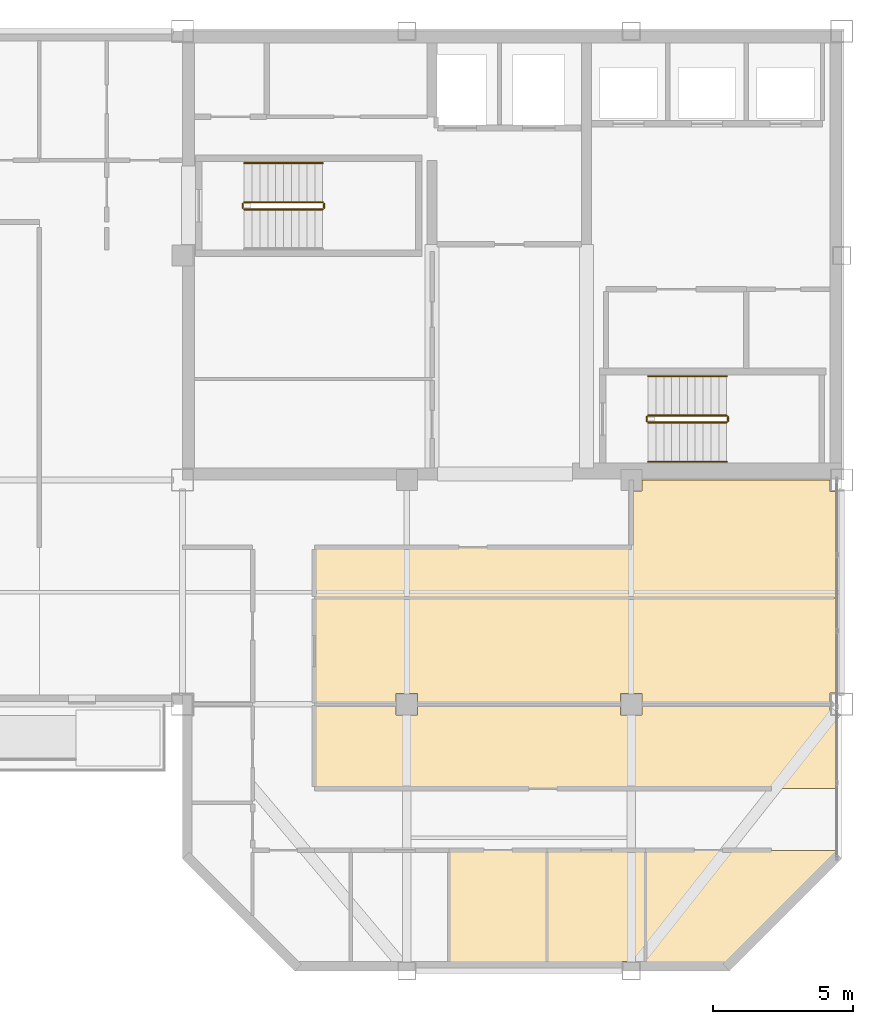
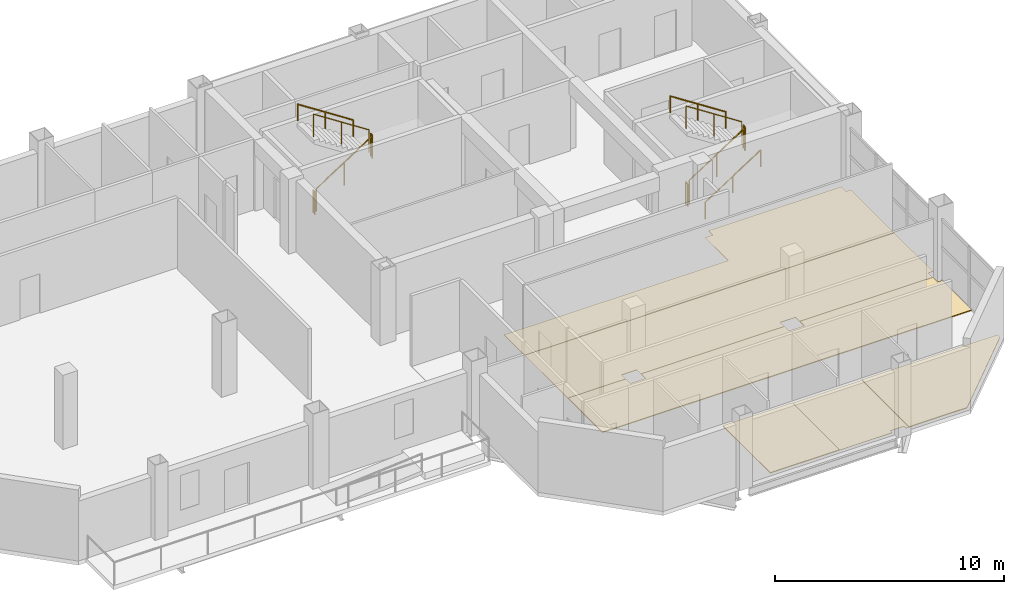
# One storey, part 12 of 13: 11 railings, 6 coverings.
"""IFC4 building model written with IfcOpenShell, lengths in metres."""

from ifc_helpers import new_model, si_unit, direction, frame, origin, origin_2d, place, context, subcontext, project, spatial, polyline, circle, outline, extrude, material, layer, layer_set, type_object, element, save


model = new_model("IFC4")

# Units and contexts
model_context = context("Model", 3, precision=1e-05, world=origin(), true_north=direction((0.0, 1.0)))
body_context = subcontext(model_context, "Body", "Model", "MODEL_VIEW")
ifc_project = project(units=[si_unit("LENGTHUNIT", "METRE"), si_unit("AREAUNIT", "SQUARE_METRE"), si_unit("VOLUMEUNIT", "CUBIC_METRE"), si_unit("PLANEANGLEUNIT", "RADIAN"), si_unit("MASSUNIT", "GRAM", prefix="KILO")], contexts=[model_context])

# Site, building, storey
site_placement = place(None, origin())
site = spatial("IfcSite", under=ifc_project, at=site_placement, CompositionType="ELEMENT")
building_placement = place(site_placement, origin())
building = spatial("IfcBuilding", under=site, at=building_placement, Name="Qianrong Seaharbour Tower", CompositionType="ELEMENT")
storey_placement = place(building_placement, frame((0.0, 0.0, 295.199951171875)))
storey = spatial("IfcBuildingStorey", under=building, at=storey_placement, Name="L71", CompositionType="ELEMENT", Elevation=295.199951171875)

# Coverings
ifc_material_1 = material(Name="Acoustic modular carpet tile flooring")
ifc_layer_1 = layer(ifc_material_1, 0.02001953125)
ifc_layer_set_1 = layer_set([ifc_layer_1], Name="Acoustic modular carpet tile flooring")
covering_type_1 = type_object("IfcCoveringType", Name="COV-FLOOR-CARPET-20", PredefinedType="FLOORING", material=ifc_layer_set_1)
covering_1_placement = place(storey_placement, origin())
element("IfcCovering", 1, at=covering_1_placement, inside=storey, type_object=covering_type_1, Name="L71 Boardroom 2 Finish Flooring", PredefinedType="FLOORING", context=body_context, shape_type="SweptSolid", body=[
    extrude(outline(polyline([(63.8349609375, 31.800048828125), (63.8349609375, 28.409912109375), (63.590087890625, 28.409912109375), (63.590087890625, 28.0), (56.885009765625, 28.0), (56.885009765625, 28.385009765625), (56.114990234375, 28.385009765625), (56.114990234375, 28.0), (48.885009765625, 28.0), (48.885009765625, 28.385009765625), (48.114990234375, 28.385009765625), (48.114990234375, 28.0), (45.199951171875, 28.0), (45.199951171875, 31.800048828125), (63.8349609375, 31.800048828125)])), origin(), (0.0, 0.0, 1.0), 0.02001953125),
])
covering_2_placement = place(storey_placement, origin())
element("IfcCovering", 2, at=covering_2_placement, inside=storey, type_object=covering_type_1, Name="L71 Focus Room 3 Finish Flooring", PredefinedType="FLOORING", context=body_context, shape_type="SweptSolid", body=[
    extrude(outline(polyline([(56.5, 33.60009765625), (56.5, 35.614990234375), (56.885009765625, 35.614990234375), (56.885009765625, 36.0), (63.590087890625, 36.0), (63.590087890625, 35.590087890625), (63.8349609375, 35.590087890625), (63.8349609375, 31.800048828125), (45.199951171875, 31.800048828125), (45.199951171875, 33.60009765625), (56.5, 33.60009765625)])), origin(), (0.0, 0.0, 1.0), 0.02001953125),
])
covering_3_placement = place(storey_placement, origin())
element("IfcCovering", 3, at=covering_3_placement, inside=storey, type_object=covering_type_1, Name="L71 Meeting Room 4 Finish Flooring", PredefinedType="FLOORING", context=body_context, shape_type="SweptSolid", body=[
    extrude(outline(polyline([(57.0, 18.6650390625), (56.8349609375, 18.6650390625), (56.8349609375, 18.8349609375), (56.1650390625, 18.8349609375), (56.1650390625, 18.6650390625), (53.5, 18.6650390625), (53.5, 22.800048828125), (57.0, 22.800048828125), (57.0, 18.6650390625)])), origin(), (0.0, 0.0, 1.0), 0.02001953125),
])
ifc_material_2 = material(Name="Calcium-sulphate raised access floor tile")
ifc_layer_2 = layer(ifc_material_2, 0.044921875)
ifc_layer_set_2 = layer_set([ifc_layer_2], Name="Calcium-sulphate raised access floor tile")
covering_type_2 = type_object("IfcCoveringType", Name="COV-FLOOR-RAISED-45", PredefinedType="FLOORING", material=ifc_layer_set_2)
covering_4_placement = place(storey_placement, origin())
element("IfcCovering", 4, at=covering_4_placement, inside=storey, type_object=covering_type_2, Name="L71 Executive Office 1 Finish Flooring", PredefinedType="FLOORING", context=body_context, shape_type="SweptSolid", body=[
    extrude(outline(polyline([(48.114990234375, 28.0), (48.114990234375, 27.614990234375), (48.885009765625, 27.614990234375), (48.885009765625, 28.0), (56.114990234375, 28.0), (56.114990234375, 27.614990234375), (56.885009765625, 27.614990234375), (56.885009765625, 28.0), (63.590087890625, 28.0), (63.590087890625, 27.590087890625), (63.8349609375, 27.590087890625), (63.8349609375, 25.0), (45.199951171875, 25.0), (45.199951171875, 28.0), (48.114990234375, 28.0)])), origin(), (0.0, 0.0, 1.0), 0.045166015625),
])
covering_5_placement = place(storey_placement, origin())
element("IfcCovering", 5, at=covering_5_placement, inside=storey, type_object=covering_type_2, Name="L71 Executive Office 3 Finish Flooring", PredefinedType="FLOORING", context=body_context, shape_type="SweptSolid", body=[
    extrude(outline(polyline([(53.5, 18.6650390625), (50.0, 18.6650390625), (50.0, 22.800048828125), (53.5, 22.800048828125), (53.5, 18.6650390625)])), origin(), (0.0, 0.0, 1.0), 0.045166015625),
])
covering_6_placement = place(storey_placement, origin())
element("IfcCovering", 6, at=covering_6_placement, inside=storey, type_object=covering_type_2, Name="L71 Executive Office 5 Finish Flooring", PredefinedType="FLOORING", context=body_context, shape_type="SweptSolid", body=[
    extrude(outline(polyline([(63.8349609375, 22.568359375), (59.931640625, 18.6650390625), (57.0, 18.6650390625), (57.0, 22.800048828125), (63.8349609375, 22.800048828125), (63.8349609375, 22.568359375)])), origin(), (0.0, 0.0, 1.0), 0.045166015625),
])

# Railings
ifc_material_3 = material(Name="Galvanized painted steel SN400B stair guard", Category="steel")
railing_type_1 = type_object("IfcRailingType", Name="RAIL-STAIR-GUARD-1220", PredefinedType="GUARDRAIL", material=ifc_material_3)
railing_1_placement = place(storey_placement, frame((42.699951171875, 45.64990234375, 0.181884765625)))
element("IfcRailing", 7, at=railing_1_placement, inside=storey, type_object=railing_type_1, Name="L71 ST-1 stair guard 1", PredefinedType="GUARDRAIL", context=body_context, shape_type="SweptSolid", body=[
    extrude(circle(Radius=0.02392578125, at=origin_2d()), frame((0.0, 0.0, 1.19580078125), z_axis=(0.838705829183, 0.0, 0.544584733623), x_axis=(0.0, 1.0, 0.0)), (0.0, 0.0, 1.0), 3.338623046875),
    extrude(circle(Radius=0.02099609375, at=origin_2d()), origin(), (0.0, 0.0, 1.0), 1.171875),
    extrude(circle(Radius=0.02099609375, at=origin_2d()), frame((1.39990234375, 0.0, 0.9091796875)), (0.0, 0.0, 1.0), 1.171875),
    extrude(circle(Radius=0.02099609375, at=origin_2d()), frame((2.800048828125, 0.0, 1.818115234375)), (0.0, 0.0, 1.0), 1.171875),
])
railing_2_placement = place(storey_placement, frame((45.550048828125, 45.699951171875, 2.0)))
element("IfcRailing", 8, at=railing_2_placement, inside=storey, type_object=railing_type_1, Name="L71 ST-1 stair guard 2", PredefinedType="GUARDRAIL", context=body_context, shape_type="SweptSolid", body=[
    extrude(circle(Radius=0.02392578125, at=origin_2d()), frame((0.0, 0.0, 1.19580078125), z_axis=(0.0, 1.0, 0.0), x_axis=(-1.0, 0.0, 0.0)), (0.0, 0.0, 1.0), 0.150146484375),
    extrude(circle(Radius=0.02099609375, at=origin_2d()), origin(), (0.0, 0.0, 1.0), 1.171875),
    extrude(circle(Radius=0.02099609375, at=origin_2d()), frame((0.0, 0.150146484375, 0.0)), (0.0, 0.0, 1.0), 1.171875),
])
railing_3_placement = place(storey_placement, frame((45.5, 45.89990234375, 2.181884765625)))
element("IfcRailing", 9, at=railing_3_placement, inside=storey, type_object=railing_type_1, Name="L71 ST-1 stair guard 3", PredefinedType="GUARDRAIL", context=body_context, shape_type="SweptSolid", body=[
    extrude(circle(Radius=0.02392578125, at=origin_2d()), frame((0.0, 0.0, 1.19580078125), z_axis=(-0.838705829183, 0.0, 0.544584733623), x_axis=(0.0, -1.0, 0.0)), (0.0, 0.0, 1.0), 3.338623046875),
    extrude(circle(Radius=0.02099609375, at=origin_2d()), origin(), (0.0, 0.0, 1.0), 1.171875),
    extrude(circle(Radius=0.02099609375, at=origin_2d()), frame((-1.39990234375, 0.0, 0.9091796875)), (0.0, 0.0, 1.0), 1.171875),
    extrude(circle(Radius=0.02099609375, at=origin_2d()), frame((-2.800048828125, 0.0, 1.818115234375)), (0.0, 0.0, 1.0), 1.171875),
])
railing_4_placement = place(storey_placement, frame((42.64990234375, 45.699951171875, 0.0)))
element("IfcRailing", 10, at=railing_4_placement, inside=storey, type_object=railing_type_1, Name="L71 ST-1 stair guard 4", PredefinedType="GUARDRAIL", context=body_context, shape_type="SweptSolid", body=[
    extrude(circle(Radius=0.02392578125, at=origin_2d()), frame((0.0, 0.0, 1.19580078125), z_axis=(0.0, 1.0, 0.0), x_axis=(-1.0, 0.0, 0.0)), (0.0, 0.0, 1.0), 0.150146484375),
    extrude(circle(Radius=0.02099609375, at=origin_2d()), origin(), (0.0, 0.0, 1.0), 1.171875),
    extrude(circle(Radius=0.02099609375, at=origin_2d()), frame((0.0, 0.150146484375, 0.0)), (0.0, 0.0, 1.0), 1.171875),
])
railing_5_placement = place(storey_placement, frame((57.10009765625, 38.050048828125, 0.181884765625)))
element("IfcRailing", 11, at=railing_5_placement, inside=storey, type_object=railing_type_1, Name="L71 ST-2 stair guard 1", PredefinedType="GUARDRAIL", context=body_context, shape_type="SweptSolid", body=[
    extrude(circle(Radius=0.02392578125, at=origin_2d()), frame((0.0, 0.0, 1.19580078125), z_axis=(0.83868413941, 0.0, 0.544618136222), x_axis=(0.0, 1.0, 0.0)), (0.0, 0.0, 1.0), 3.33837890625),
    extrude(circle(Radius=0.02099609375, at=origin_2d()), origin(), (0.0, 0.0, 1.0), 1.171875),
    extrude(circle(Radius=0.02099609375, at=origin_2d()), frame((1.39990234375, 0.0, 0.9091796875)), (0.0, 0.0, 1.0), 1.171875),
    extrude(circle(Radius=0.02099609375, at=origin_2d()), frame((2.7998046875, 0.0, 1.818115234375)), (0.0, 0.0, 1.0), 1.171875),
])
railing_6_placement = place(storey_placement, frame((59.949951171875, 38.10009765625, 2.0)))
element("IfcRailing", 12, at=railing_6_placement, inside=storey, type_object=railing_type_1, Name="L71 ST-2 stair guard 2", PredefinedType="GUARDRAIL", context=body_context, shape_type="SweptSolid", body=[
    extrude(circle(Radius=0.02392578125, at=origin_2d()), frame((0.0, 0.0, 1.19580078125), z_axis=(0.0, 1.0, 0.0), x_axis=(-1.0, 0.0, 0.0)), (0.0, 0.0, 1.0), 0.14990234375),
    extrude(circle(Radius=0.02099609375, at=origin_2d()), origin(), (0.0, 0.0, 1.0), 1.171875),
    extrude(circle(Radius=0.02099609375, at=origin_2d()), frame((0.0, 0.14990234375, 0.0)), (0.0, 0.0, 1.0), 1.171875),
])
railing_7_placement = place(storey_placement, frame((59.89990234375, 38.300048828125, 2.181884765625)))
element("IfcRailing", 13, at=railing_7_placement, inside=storey, type_object=railing_type_1, Name="L71 ST-2 stair guard 3", PredefinedType="GUARDRAIL", context=body_context, shape_type="SweptSolid", body=[
    extrude(circle(Radius=0.02392578125, at=origin_2d()), frame((0.0, 0.0, 1.19580078125), z_axis=(-0.83868413941, 0.0, 0.544618136222), x_axis=(0.0, -1.0, 0.0)), (0.0, 0.0, 1.0), 3.33837890625),
    extrude(circle(Radius=0.02099609375, at=origin_2d()), origin(), (0.0, 0.0, 1.0), 1.171875),
    extrude(circle(Radius=0.02099609375, at=origin_2d()), frame((-1.39990234375, 0.0, 0.9091796875)), (0.0, 0.0, 1.0), 1.171875),
    extrude(circle(Radius=0.02099609375, at=origin_2d()), frame((-2.7998046875, 0.0, 1.818115234375)), (0.0, 0.0, 1.0), 1.171875),
])
railing_8_placement = place(storey_placement, frame((57.050048828125, 38.10009765625, 0.0)))
element("IfcRailing", 14, at=railing_8_placement, inside=storey, type_object=railing_type_1, Name="L71 ST-2 stair guard 4", PredefinedType="GUARDRAIL", context=body_context, shape_type="SweptSolid", body=[
    extrude(circle(Radius=0.02392578125, at=origin_2d()), frame((0.0, 0.0, 1.19580078125), z_axis=(0.0, 1.0, 0.0), x_axis=(-1.0, 0.0, 0.0)), (0.0, 0.0, 1.0), 0.14990234375),
    extrude(circle(Radius=0.02099609375, at=origin_2d()), origin(), (0.0, 0.0, 1.0), 1.171875),
    extrude(circle(Radius=0.02099609375, at=origin_2d()), frame((0.0, 0.14990234375, 0.0)), (0.0, 0.0, 1.0), 1.171875),
])
ifc_material_4 = material(Name="Stainless steel SUS316L continuous handrail", Category="steel")
railing_type_2 = type_object("IfcRailingType", Name="RAIL-STAIR-HANDRAIL-900", PredefinedType="HANDRAIL", material=ifc_material_4)
railing_9_placement = place(storey_placement, frame((45.5, 47.300048828125, 2.181884765625)))
element("IfcRailing", 15, at=railing_9_placement, inside=storey, type_object=railing_type_2, Name="L71 ST-1 stair handrail 2", PredefinedType="HANDRAIL", context=body_context, shape_type="SweptSolid", body=[
    extrude(circle(Radius=0.02392578125, at=origin_2d()), frame((0.0, 0.0, 0.8759765625), z_axis=(-0.838705829183, 0.0, 0.544584733623), x_axis=(0.0, -1.0, 0.0)), (0.0, 0.0, 1.0), 3.338623046875),
    extrude(circle(Radius=0.02099609375, at=origin_2d()), origin(), (0.0, 0.0, 1.0), 0.851806640625),
    extrude(circle(Radius=0.02099609375, at=origin_2d()), frame((-1.39990234375, 0.0, 0.9091796875)), (0.0, 0.0, 1.0), 0.851806640625),
    extrude(circle(Radius=0.02099609375, at=origin_2d()), frame((-2.800048828125, 0.0, 1.818115234375)), (0.0, 0.0, 1.0), 0.851806640625),
])
railing_10_placement = place(storey_placement, frame((57.10009765625, 36.64990234375, 0.181884765625)))
element("IfcRailing", 16, at=railing_10_placement, inside=storey, type_object=railing_type_2, Name="L71 ST-2 stair handrail 1", PredefinedType="HANDRAIL", context=body_context, shape_type="SweptSolid", body=[
    extrude(circle(Radius=0.02392578125, at=origin_2d()), frame((0.0, 0.0, 0.8759765625), z_axis=(0.83868413941, 0.0, 0.544618136222), x_axis=(0.0, 1.0, 0.0)), (0.0, 0.0, 1.0), 3.33837890625),
    extrude(circle(Radius=0.02099609375, at=origin_2d()), origin(), (0.0, 0.0, 1.0), 0.851806640625),
    extrude(circle(Radius=0.02099609375, at=origin_2d()), frame((1.39990234375, 0.0, 0.9091796875)), (0.0, 0.0, 1.0), 0.851806640625),
    extrude(circle(Radius=0.02099609375, at=origin_2d()), frame((2.7998046875, 0.0, 1.818115234375)), (0.0, 0.0, 1.0), 0.851806640625),
])
railing_11_placement = place(storey_placement, frame((59.89990234375, 39.699951171875, 2.181884765625)))
element("IfcRailing", 17, at=railing_11_placement, inside=storey, type_object=railing_type_2, Name="L71 ST-2 stair handrail 2", PredefinedType="HANDRAIL", context=body_context, shape_type="SweptSolid", body=[
    extrude(circle(Radius=0.02392578125, at=origin_2d()), frame((0.0, 0.0, 0.8759765625), z_axis=(-0.83868413941, 0.0, 0.544618136222), x_axis=(0.0, -1.0, 0.0)), (0.0, 0.0, 1.0), 3.33837890625),
    extrude(circle(Radius=0.02099609375, at=origin_2d()), origin(), (0.0, 0.0, 1.0), 0.851806640625),
    extrude(circle(Radius=0.02099609375, at=origin_2d()), frame((-1.39990234375, 0.0, 0.9091796875)), (0.0, 0.0, 1.0), 0.851806640625),
    extrude(circle(Radius=0.02099609375, at=origin_2d()), frame((-2.7998046875, 0.0, 1.818115234375)), (0.0, 0.0, 1.0), 0.851806640625),
])

save(model, "model.ifc")
